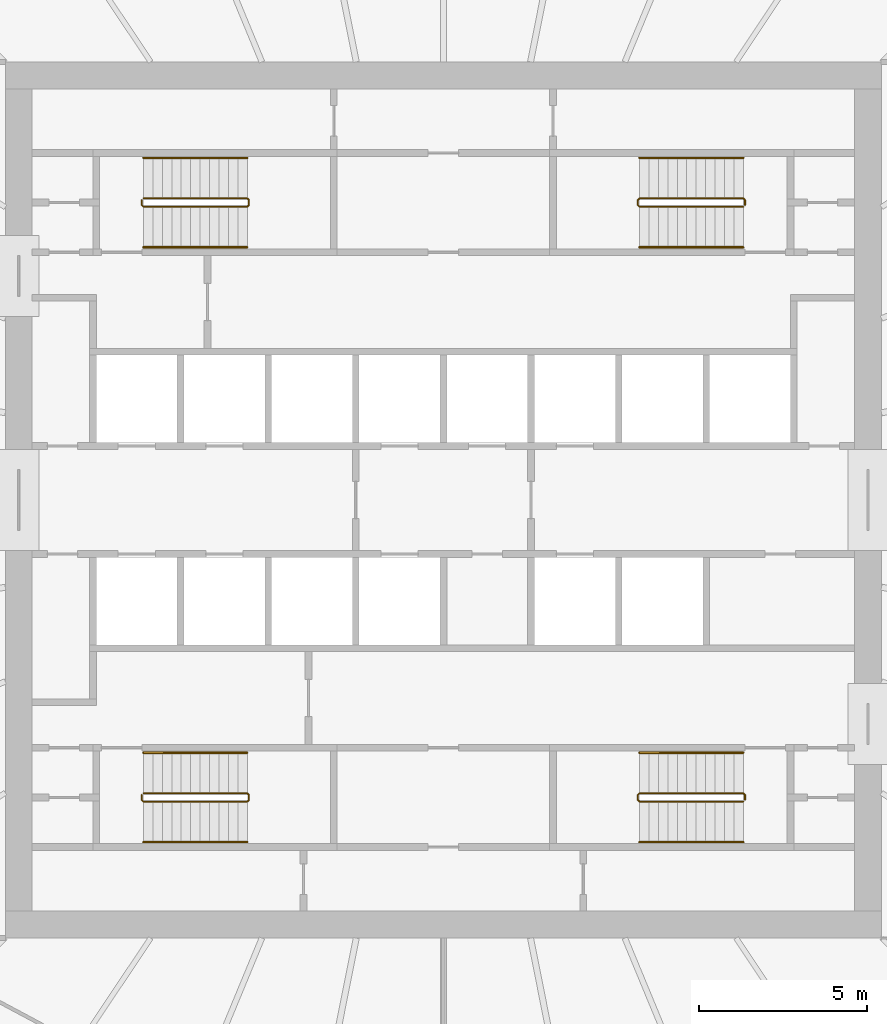
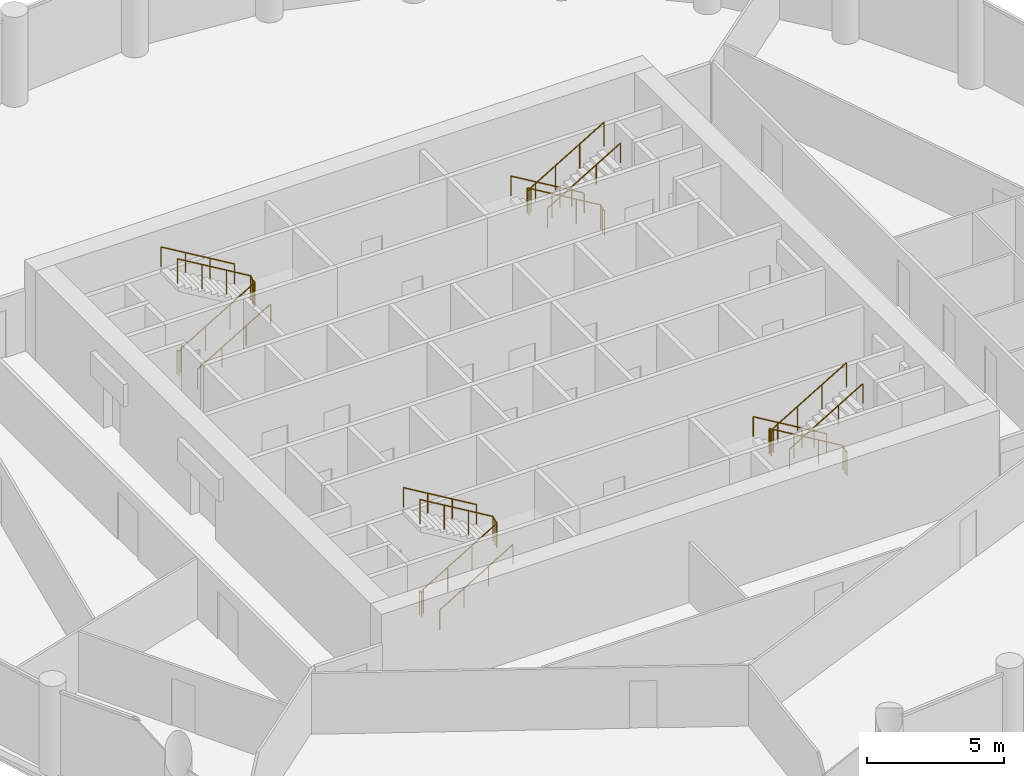
# One storey, part 8 of 8: 12 railings.
"""IFC4 building model written with IfcOpenShell, lengths in metres."""

from ifc_helpers import new_model, si_unit, direction, frame, origin, origin_2d, place, context, subcontext, project, spatial, circle, extrude, material, type_object, element, save


model = new_model("IFC4")

# Units and contexts
model_context = context("Model", 3, precision=1e-05, world=origin(), true_north=direction((0.0, 1.0)))
body_context = subcontext(model_context, "Body", "Model", "MODEL_VIEW")
ifc_project = project(units=[si_unit("LENGTHUNIT", "METRE"), si_unit("AREAUNIT", "SQUARE_METRE"), si_unit("VOLUMEUNIT", "CUBIC_METRE"), si_unit("PLANEANGLEUNIT", "RADIAN"), si_unit("MASSUNIT", "GRAM", prefix="KILO")], contexts=[model_context])

# Site, building, storey
site_placement = place(None, origin())
site = spatial("IfcSite", under=ifc_project, at=site_placement, CompositionType="ELEMENT")
building_placement = place(site_placement, origin())
building = spatial("IfcBuilding", under=site, at=building_placement, Name="Corvane Civic Tower", CompositionType="ELEMENT")
storey_placement = place(building_placement, frame((0.0, 0.0, 209.5)))
storey = spatial("IfcBuildingStorey", under=building, at=storey_placement, Name="L49", CompositionType="ELEMENT", Elevation=209.5)

# Railings
ifc_material_1 = material(Name="Steel ASTM A572 Gr 50", Category="steel")
railing_type_1 = type_object("IfcRailingType", Name="ST-GUARD-1100", PredefinedType="GUARDRAIL", material=ifc_material_1)
railing_1_placement = place(storey_placement, frame((8.949951171875, 8.75, 0.0)))
element("IfcRailing", 1, at=railing_1_placement, inside=storey, type_object=railing_type_1, Name="L49 ST1 stair guard 1", PredefinedType="GUARDRAIL", context=body_context, shape_type="SweptSolid", body=[
    extrude(circle(Radius=0.02392578125, at=origin_2d()), frame((0.0, 0.0, 1.076171875), z_axis=(0.0, 1.0, 0.0), x_axis=(-1.0, 0.0, 0.0)), (0.0, 0.0, 1.0), 0.14990234375),
    extrude(circle(Radius=0.02392578125, at=origin_2d()), frame((0.0, 0.14990234375, 1.076171875), z_axis=(-0.27628659633, 0.27628659633, 0.920506074601), x_axis=(-0.707106781187, -0.707106781187, 0.0)), (0.0, 0.0, 1.0), 0.18115234375),
    extrude(circle(Radius=0.02392578125, at=origin_2d()), frame((-0.050048828125, 0.199951171875, 1.24267578125), z_axis=(-0.859290745958, 0.0, 0.51148745235), x_axis=(0.0, -1.0, 0.0)), (0.0, 0.0, 1.0), 3.584228515625),
    extrude(circle(Radius=0.02392578125, at=origin_2d()), frame((-3.1298828125, 0.199951171875, 3.076171875), z_axis=(-0.707106781187, -0.707106781187, 0.0), x_axis=(0.707106781187, -0.707106781187, 0.0)), (0.0, 0.0, 1.0), 0.07080078125),
    extrude(circle(Radius=0.02392578125, at=origin_2d()), frame((-3.179931640625, 0.14990234375, 3.076171875), z_axis=(0.0, -1.0, 0.0), x_axis=(1.0, 0.0, 0.0)), (0.0, 0.0, 1.0), 0.14990234375),
    extrude(circle(Radius=0.02392578125, at=origin_2d()), frame((-3.179931640625, 0.0, 3.076171875), z_axis=(0.27628659633, -0.27628659633, 0.920506074601), x_axis=(0.707106781187, 0.707106781187, 0.0)), (0.0, 0.0, 1.0), 0.18115234375),
    extrude(circle(Radius=0.02392578125, at=origin_2d()), frame((-3.1298828125, -0.050048828125, 3.24267578125), z_axis=(0.859290745958, 0.0, 0.51148745235), x_axis=(0.0, 1.0, 0.0)), (0.0, 0.0, 1.0), 3.584228515625),
    extrude(circle(Radius=0.02099609375, at=origin_2d()), origin(), (0.0, 0.0, 1.0), 1.052001953125),
    extrude(circle(Radius=0.02099609375, at=origin_2d()), frame((0.0, 0.14990234375, 0.0)), (0.0, 0.0, 1.0), 1.052001953125),
    extrude(circle(Radius=0.02099609375, at=origin_2d()), frame((-0.050048828125, 0.199951171875, 0.166748046875)), (0.0, 0.0, 1.0), 1.052001953125),
    extrude(circle(Radius=0.02099609375, at=origin_2d()), frame((-1.07666015625, 0.199951171875, 0.77783203125)), (0.0, 0.0, 1.0), 1.052001953125),
    extrude(circle(Radius=0.02099609375, at=origin_2d()), frame((-2.103271484375, 0.199951171875, 1.388916015625)), (0.0, 0.0, 1.0), 1.052001953125),
    extrude(circle(Radius=0.02099609375, at=origin_2d()), frame((-3.1298828125, 0.199951171875, 2.0)), (0.0, 0.0, 1.0), 1.052001953125),
    extrude(circle(Radius=0.02099609375, at=origin_2d()), frame((-3.179931640625, 0.14990234375, 2.0)), (0.0, 0.0, 1.0), 1.052001953125),
    extrude(circle(Radius=0.02099609375, at=origin_2d()), frame((-3.179931640625, 0.0, 2.0)), (0.0, 0.0, 1.0), 1.052001953125),
    extrude(circle(Radius=0.02099609375, at=origin_2d()), frame((-3.1298828125, -0.050048828125, 2.166748046875)), (0.0, 0.0, 1.0), 1.052001953125),
    extrude(circle(Radius=0.02099609375, at=origin_2d()), frame((-2.103271484375, -0.050048828125, 2.77783203125)), (0.0, 0.0, 1.0), 1.052001953125),
    extrude(circle(Radius=0.02099609375, at=origin_2d()), frame((-1.07666015625, -0.050048828125, 3.388916015625)), (0.0, 0.0, 1.0), 1.052001953125),
    extrude(circle(Radius=0.02099609375, at=origin_2d()), frame((-0.050048828125, -0.050048828125, 4.0)), (0.0, 0.0, 1.0), 1.052001953125),
])
railing_2_placement = place(storey_placement, frame((8.949951171875, -8.89990234375, 0.0)))
element("IfcRailing", 2, at=railing_2_placement, inside=storey, type_object=railing_type_1, Name="L49 ST2 stair guard 1", PredefinedType="GUARDRAIL", context=body_context, shape_type="SweptSolid", body=[
    extrude(circle(Radius=0.02392578125, at=origin_2d()), frame((0.0, 0.0, 1.076171875), z_axis=(0.0, 1.0, 0.0), x_axis=(-1.0, 0.0, 0.0)), (0.0, 0.0, 1.0), 0.14990234375),
    extrude(circle(Radius=0.02392578125, at=origin_2d()), frame((0.0, 0.14990234375, 1.076171875), z_axis=(-0.27628659633, 0.27628659633, 0.920506074601), x_axis=(-0.707106781187, -0.707106781187, 0.0)), (0.0, 0.0, 1.0), 0.18115234375),
    extrude(circle(Radius=0.02392578125, at=origin_2d()), frame((-0.050048828125, 0.199951171875, 1.24267578125), z_axis=(-0.859290745958, 0.0, 0.51148745235), x_axis=(0.0, -1.0, 0.0)), (0.0, 0.0, 1.0), 3.584228515625),
    extrude(circle(Radius=0.02392578125, at=origin_2d()), frame((-3.1298828125, 0.199951171875, 3.076171875), z_axis=(-0.707106781187, -0.707106781187, 0.0), x_axis=(0.707106781187, -0.707106781187, 0.0)), (0.0, 0.0, 1.0), 0.07080078125),
    extrude(circle(Radius=0.02392578125, at=origin_2d()), frame((-3.179931640625, 0.14990234375, 3.076171875), z_axis=(0.0, -1.0, 0.0), x_axis=(1.0, 0.0, 0.0)), (0.0, 0.0, 1.0), 0.14990234375),
    extrude(circle(Radius=0.02392578125, at=origin_2d()), frame((-3.179931640625, 0.0, 3.076171875), z_axis=(0.27628659633, -0.27628659633, 0.920506074601), x_axis=(0.707106781187, 0.707106781187, 0.0)), (0.0, 0.0, 1.0), 0.18115234375),
    extrude(circle(Radius=0.02392578125, at=origin_2d()), frame((-3.1298828125, -0.050048828125, 3.24267578125), z_axis=(0.859290745958, 0.0, 0.51148745235), x_axis=(0.0, 1.0, 0.0)), (0.0, 0.0, 1.0), 3.584228515625),
    extrude(circle(Radius=0.02099609375, at=origin_2d()), origin(), (0.0, 0.0, 1.0), 1.052001953125),
    extrude(circle(Radius=0.02099609375, at=origin_2d()), frame((0.0, 0.14990234375, 0.0)), (0.0, 0.0, 1.0), 1.052001953125),
    extrude(circle(Radius=0.02099609375, at=origin_2d()), frame((-0.050048828125, 0.199951171875, 0.166748046875)), (0.0, 0.0, 1.0), 1.052001953125),
    extrude(circle(Radius=0.02099609375, at=origin_2d()), frame((-1.07666015625, 0.199951171875, 0.77783203125)), (0.0, 0.0, 1.0), 1.052001953125),
    extrude(circle(Radius=0.02099609375, at=origin_2d()), frame((-2.103271484375, 0.199951171875, 1.388916015625)), (0.0, 0.0, 1.0), 1.052001953125),
    extrude(circle(Radius=0.02099609375, at=origin_2d()), frame((-3.1298828125, 0.199951171875, 2.0)), (0.0, 0.0, 1.0), 1.052001953125),
    extrude(circle(Radius=0.02099609375, at=origin_2d()), frame((-3.179931640625, 0.14990234375, 2.0)), (0.0, 0.0, 1.0), 1.052001953125),
    extrude(circle(Radius=0.02099609375, at=origin_2d()), frame((-3.179931640625, 0.0, 2.0)), (0.0, 0.0, 1.0), 1.052001953125),
    extrude(circle(Radius=0.02099609375, at=origin_2d()), frame((-3.1298828125, -0.050048828125, 2.166748046875)), (0.0, 0.0, 1.0), 1.052001953125),
    extrude(circle(Radius=0.02099609375, at=origin_2d()), frame((-2.103271484375, -0.050048828125, 2.77783203125)), (0.0, 0.0, 1.0), 1.052001953125),
    extrude(circle(Radius=0.02099609375, at=origin_2d()), frame((-1.07666015625, -0.050048828125, 3.388916015625)), (0.0, 0.0, 1.0), 1.052001953125),
    extrude(circle(Radius=0.02099609375, at=origin_2d()), frame((-0.050048828125, -0.050048828125, 4.0)), (0.0, 0.0, 1.0), 1.052001953125),
])
railing_3_placement = place(storey_placement, frame((-8.949951171875, -8.75, 0.0)))
element("IfcRailing", 3, at=railing_3_placement, inside=storey, type_object=railing_type_1, Name="L49 ST3 stair guard 1", PredefinedType="GUARDRAIL", context=body_context, shape_type="SweptSolid", body=[
    extrude(circle(Radius=0.02392578125, at=origin_2d()), frame((0.0, 0.0, 1.076171875), z_axis=(0.0, -1.0, 0.0), x_axis=(1.0, 0.0, 0.0)), (0.0, 0.0, 1.0), 0.14990234375),
    extrude(circle(Radius=0.02392578125, at=origin_2d()), frame((0.0, -0.14990234375, 1.076171875), z_axis=(0.27628659633, -0.27628659633, 0.920506074601), x_axis=(0.707106781187, 0.707106781187, 0.0)), (0.0, 0.0, 1.0), 0.18115234375),
    extrude(circle(Radius=0.02392578125, at=origin_2d()), frame((0.050048828125, -0.199951171875, 1.24267578125), z_axis=(0.859290745958, 0.0, 0.51148745235), x_axis=(0.0, 1.0, 0.0)), (0.0, 0.0, 1.0), 3.584228515625),
    extrude(circle(Radius=0.02392578125, at=origin_2d()), frame((3.1298828125, -0.199951171875, 3.076171875), z_axis=(0.707106781187, 0.707106781187, 0.0), x_axis=(-0.707106781187, 0.707106781187, 0.0)), (0.0, 0.0, 1.0), 0.07080078125),
    extrude(circle(Radius=0.02392578125, at=origin_2d()), frame((3.179931640625, -0.14990234375, 3.076171875), z_axis=(0.0, 1.0, 0.0), x_axis=(-1.0, 0.0, 0.0)), (0.0, 0.0, 1.0), 0.14990234375),
    extrude(circle(Radius=0.02392578125, at=origin_2d()), frame((3.179931640625, 0.0, 3.076171875), z_axis=(-0.27628659633, 0.27628659633, 0.920506074601), x_axis=(-0.707106781187, -0.707106781187, 0.0)), (0.0, 0.0, 1.0), 0.18115234375),
    extrude(circle(Radius=0.02392578125, at=origin_2d()), frame((3.1298828125, 0.050048828125, 3.24267578125), z_axis=(-0.859290745958, 0.0, 0.51148745235), x_axis=(0.0, -1.0, 0.0)), (0.0, 0.0, 1.0), 3.584228515625),
    extrude(circle(Radius=0.02099609375, at=origin_2d()), origin(), (0.0, 0.0, 1.0), 1.052001953125),
    extrude(circle(Radius=0.02099609375, at=origin_2d()), frame((0.0, -0.14990234375, 0.0)), (0.0, 0.0, 1.0), 1.052001953125),
    extrude(circle(Radius=0.02099609375, at=origin_2d()), frame((0.050048828125, -0.199951171875, 0.166748046875)), (0.0, 0.0, 1.0), 1.052001953125),
    extrude(circle(Radius=0.02099609375, at=origin_2d()), frame((1.07666015625, -0.199951171875, 0.77783203125)), (0.0, 0.0, 1.0), 1.052001953125),
    extrude(circle(Radius=0.02099609375, at=origin_2d()), frame((2.103271484375, -0.199951171875, 1.388916015625)), (0.0, 0.0, 1.0), 1.052001953125),
    extrude(circle(Radius=0.02099609375, at=origin_2d()), frame((3.1298828125, -0.199951171875, 2.0)), (0.0, 0.0, 1.0), 1.052001953125),
    extrude(circle(Radius=0.02099609375, at=origin_2d()), frame((3.179931640625, -0.14990234375, 2.0)), (0.0, 0.0, 1.0), 1.052001953125),
    extrude(circle(Radius=0.02099609375, at=origin_2d()), frame((3.179931640625, 0.0, 2.0)), (0.0, 0.0, 1.0), 1.052001953125),
    extrude(circle(Radius=0.02099609375, at=origin_2d()), frame((3.1298828125, 0.050048828125, 2.166748046875)), (0.0, 0.0, 1.0), 1.052001953125),
    extrude(circle(Radius=0.02099609375, at=origin_2d()), frame((2.103271484375, 0.050048828125, 2.77783203125)), (0.0, 0.0, 1.0), 1.052001953125),
    extrude(circle(Radius=0.02099609375, at=origin_2d()), frame((1.07666015625, 0.050048828125, 3.388916015625)), (0.0, 0.0, 1.0), 1.052001953125),
    extrude(circle(Radius=0.02099609375, at=origin_2d()), frame((0.050048828125, 0.050048828125, 4.0)), (0.0, 0.0, 1.0), 1.052001953125),
])
railing_4_placement = place(storey_placement, frame((-8.949951171875, 8.89990234375, 0.0)))
element("IfcRailing", 4, at=railing_4_placement, inside=storey, type_object=railing_type_1, Name="L49 ST4 stair guard 1", PredefinedType="GUARDRAIL", context=body_context, shape_type="SweptSolid", body=[
    extrude(circle(Radius=0.02392578125, at=origin_2d()), frame((0.0, 0.0, 1.076171875), z_axis=(0.0, -1.0, 0.0), x_axis=(1.0, 0.0, 0.0)), (0.0, 0.0, 1.0), 0.14990234375),
    extrude(circle(Radius=0.02392578125, at=origin_2d()), frame((0.0, -0.14990234375, 1.076171875), z_axis=(0.27628659633, -0.27628659633, 0.920506074601), x_axis=(0.707106781187, 0.707106781187, 0.0)), (0.0, 0.0, 1.0), 0.18115234375),
    extrude(circle(Radius=0.02392578125, at=origin_2d()), frame((0.050048828125, -0.199951171875, 1.24267578125), z_axis=(0.859290745958, 0.0, 0.51148745235), x_axis=(0.0, 1.0, 0.0)), (0.0, 0.0, 1.0), 3.584228515625),
    extrude(circle(Radius=0.02392578125, at=origin_2d()), frame((3.1298828125, -0.199951171875, 3.076171875), z_axis=(0.707106781187, 0.707106781187, 0.0), x_axis=(-0.707106781187, 0.707106781187, 0.0)), (0.0, 0.0, 1.0), 0.07080078125),
    extrude(circle(Radius=0.02392578125, at=origin_2d()), frame((3.179931640625, -0.14990234375, 3.076171875), z_axis=(0.0, 1.0, 0.0), x_axis=(-1.0, 0.0, 0.0)), (0.0, 0.0, 1.0), 0.14990234375),
    extrude(circle(Radius=0.02392578125, at=origin_2d()), frame((3.179931640625, 0.0, 3.076171875), z_axis=(-0.27628659633, 0.27628659633, 0.920506074601), x_axis=(-0.707106781187, -0.707106781187, 0.0)), (0.0, 0.0, 1.0), 0.18115234375),
    extrude(circle(Radius=0.02392578125, at=origin_2d()), frame((3.1298828125, 0.050048828125, 3.24267578125), z_axis=(-0.859290745958, 0.0, 0.51148745235), x_axis=(0.0, -1.0, 0.0)), (0.0, 0.0, 1.0), 3.584228515625),
    extrude(circle(Radius=0.02099609375, at=origin_2d()), origin(), (0.0, 0.0, 1.0), 1.052001953125),
    extrude(circle(Radius=0.02099609375, at=origin_2d()), frame((0.0, -0.14990234375, 0.0)), (0.0, 0.0, 1.0), 1.052001953125),
    extrude(circle(Radius=0.02099609375, at=origin_2d()), frame((0.050048828125, -0.199951171875, 0.166748046875)), (0.0, 0.0, 1.0), 1.052001953125),
    extrude(circle(Radius=0.02099609375, at=origin_2d()), frame((1.07666015625, -0.199951171875, 0.77783203125)), (0.0, 0.0, 1.0), 1.052001953125),
    extrude(circle(Radius=0.02099609375, at=origin_2d()), frame((2.103271484375, -0.199951171875, 1.388916015625)), (0.0, 0.0, 1.0), 1.052001953125),
    extrude(circle(Radius=0.02099609375, at=origin_2d()), frame((3.1298828125, -0.199951171875, 2.0)), (0.0, 0.0, 1.0), 1.052001953125),
    extrude(circle(Radius=0.02099609375, at=origin_2d()), frame((3.179931640625, -0.14990234375, 2.0)), (0.0, 0.0, 1.0), 1.052001953125),
    extrude(circle(Radius=0.02099609375, at=origin_2d()), frame((3.179931640625, 0.0, 2.0)), (0.0, 0.0, 1.0), 1.052001953125),
    extrude(circle(Radius=0.02099609375, at=origin_2d()), frame((3.1298828125, 0.050048828125, 2.166748046875)), (0.0, 0.0, 1.0), 1.052001953125),
    extrude(circle(Radius=0.02099609375, at=origin_2d()), frame((2.103271484375, 0.050048828125, 2.77783203125)), (0.0, 0.0, 1.0), 1.052001953125),
    extrude(circle(Radius=0.02099609375, at=origin_2d()), frame((1.07666015625, 0.050048828125, 3.388916015625)), (0.0, 0.0, 1.0), 1.052001953125),
    extrude(circle(Radius=0.02099609375, at=origin_2d()), frame((0.050048828125, 0.050048828125, 4.0)), (0.0, 0.0, 1.0), 1.052001953125),
])
ifc_material_2 = material(Name="Steel ASTM A572 Gr 50", Category="steel")
railing_type_2 = type_object("IfcRailingType", Name="ST-HANDRAIL-900", PredefinedType="HANDRAIL", material=ifc_material_2)
railing_5_placement = place(storey_placement, frame((8.89990234375, 10.14990234375, 0.166748046875)))
element("IfcRailing", 5, at=railing_5_placement, inside=storey, type_object=railing_type_2, Name="L49 ST1 stair handrail 1", PredefinedType="HANDRAIL", context=body_context, shape_type="SweptSolid", body=[
    extrude(circle(Radius=0.02392578125, at=origin_2d()), frame((0.0, 0.0, 0.8759765625), z_axis=(-0.859290745958, 0.0, 0.51148745235), x_axis=(0.0, -1.0, 0.0)), (0.0, 0.0, 1.0), 3.584228515625),
    extrude(circle(Radius=0.02099609375, at=origin_2d()), origin(), (0.0, 0.0, 1.0), 0.851806640625),
    extrude(circle(Radius=0.02099609375, at=origin_2d()), frame((-1.026611328125, 0.0, 0.611083984375)), (0.0, 0.0, 1.0), 0.851806640625),
    extrude(circle(Radius=0.02099609375, at=origin_2d()), frame((-2.05322265625, 0.0, 1.22216796875)), (0.0, 0.0, 1.0), 0.851806640625),
    extrude(circle(Radius=0.02099609375, at=origin_2d()), frame((-3.079833984375, 0.0, 1.833251953125)), (0.0, 0.0, 1.0), 0.851806640625),
])
railing_6_placement = place(storey_placement, frame((5.820068359375, 7.5, 2.166748046875)))
element("IfcRailing", 6, at=railing_6_placement, inside=storey, type_object=railing_type_2, Name="L49 ST1 stair handrail 2", PredefinedType="HANDRAIL", context=body_context, shape_type="SweptSolid", body=[
    extrude(circle(Radius=0.02392578125, at=origin_2d()), frame((0.0, 0.0, 0.8759765625), z_axis=(0.859290745958, 0.0, 0.51148745235), x_axis=(0.0, 1.0, 0.0)), (0.0, 0.0, 1.0), 3.584228515625),
    extrude(circle(Radius=0.02099609375, at=origin_2d()), origin(), (0.0, 0.0, 1.0), 0.851806640625),
    extrude(circle(Radius=0.02099609375, at=origin_2d()), frame((1.026611328125, 0.0, 0.611083984375)), (0.0, 0.0, 1.0), 0.851806640625),
    extrude(circle(Radius=0.02099609375, at=origin_2d()), frame((2.05322265625, 0.0, 1.22216796875)), (0.0, 0.0, 1.0), 0.851806640625),
    extrude(circle(Radius=0.02099609375, at=origin_2d()), frame((3.079833984375, 0.0, 1.833251953125)), (0.0, 0.0, 1.0), 0.851806640625),
])
railing_7_placement = place(storey_placement, frame((8.89990234375, -7.5, 0.166748046875)))
element("IfcRailing", 7, at=railing_7_placement, inside=storey, type_object=railing_type_2, Name="L49 ST2 stair handrail 1", PredefinedType="HANDRAIL", context=body_context, shape_type="SweptSolid", body=[
    extrude(circle(Radius=0.02392578125, at=origin_2d()), frame((0.0, 0.0, 0.8759765625), z_axis=(-0.859290745958, 0.0, 0.51148745235), x_axis=(0.0, -1.0, 0.0)), (0.0, 0.0, 1.0), 3.584228515625),
    extrude(circle(Radius=0.02099609375, at=origin_2d()), origin(), (0.0, 0.0, 1.0), 0.851806640625),
    extrude(circle(Radius=0.02099609375, at=origin_2d()), frame((-1.026611328125, 0.0, 0.611083984375)), (0.0, 0.0, 1.0), 0.851806640625),
    extrude(circle(Radius=0.02099609375, at=origin_2d()), frame((-2.05322265625, 0.0, 1.22216796875)), (0.0, 0.0, 1.0), 0.851806640625),
    extrude(circle(Radius=0.02099609375, at=origin_2d()), frame((-3.079833984375, 0.0, 1.833251953125)), (0.0, 0.0, 1.0), 0.851806640625),
])
for number, where, name in (
    (8, (5.820068359375, -10.14990234375, 2.166748046875), "L49 ST2 stair handrail 2"),
    (9, (-8.89990234375, -10.14990234375, 0.166748046875), "L49 ST3 stair handrail 1"),
):
    element("IfcRailing", number, at=place(storey_placement, frame(where)), inside=storey, type_object=railing_type_2, Name=name, PredefinedType="HANDRAIL", context=body_context, shape_type="SweptSolid", body=[
        extrude(circle(Radius=0.02392578125, at=origin_2d()), frame((0.0, 0.0, 0.8759765625), z_axis=(0.859290745958, 0.0, 0.51148745235), x_axis=(0.0, 1.0, 0.0)), (0.0, 0.0, 1.0), 3.584228515625),
        extrude(circle(Radius=0.02099609375, at=origin_2d()), origin(), (0.0, 0.0, 1.0), 0.851806640625),
        extrude(circle(Radius=0.02099609375, at=origin_2d()), frame((1.026611328125, 0.0, 0.611083984375)), (0.0, 0.0, 1.0), 0.851806640625),
        extrude(circle(Radius=0.02099609375, at=origin_2d()), frame((2.05322265625, 0.0, 1.22216796875)), (0.0, 0.0, 1.0), 0.851806640625),
        extrude(circle(Radius=0.02099609375, at=origin_2d()), frame((3.079833984375, 0.0, 1.833251953125)), (0.0, 0.0, 1.0), 0.851806640625),
    ])
railing_8_placement = place(storey_placement, frame((-5.820068359375, -7.5, 2.166748046875)))
element("IfcRailing", 10, at=railing_8_placement, inside=storey, type_object=railing_type_2, Name="L49 ST3 stair handrail 2", PredefinedType="HANDRAIL", context=body_context, shape_type="SweptSolid", body=[
    extrude(circle(Radius=0.02392578125, at=origin_2d()), frame((0.0, 0.0, 0.8759765625), z_axis=(-0.859290745958, 0.0, 0.51148745235), x_axis=(0.0, -1.0, 0.0)), (0.0, 0.0, 1.0), 3.584228515625),
    extrude(circle(Radius=0.02099609375, at=origin_2d()), origin(), (0.0, 0.0, 1.0), 0.851806640625),
    extrude(circle(Radius=0.02099609375, at=origin_2d()), frame((-1.026611328125, 0.0, 0.611083984375)), (0.0, 0.0, 1.0), 0.851806640625),
    extrude(circle(Radius=0.02099609375, at=origin_2d()), frame((-2.05322265625, 0.0, 1.22216796875)), (0.0, 0.0, 1.0), 0.851806640625),
    extrude(circle(Radius=0.02099609375, at=origin_2d()), frame((-3.079833984375, 0.0, 1.833251953125)), (0.0, 0.0, 1.0), 0.851806640625),
])
railing_9_placement = place(storey_placement, frame((-8.89990234375, 7.5, 0.166748046875)))
element("IfcRailing", 11, at=railing_9_placement, inside=storey, type_object=railing_type_2, Name="L49 ST4 stair handrail 1", PredefinedType="HANDRAIL", context=body_context, shape_type="SweptSolid", body=[
    extrude(circle(Radius=0.02392578125, at=origin_2d()), frame((0.0, 0.0, 0.8759765625), z_axis=(0.859290745958, 0.0, 0.51148745235), x_axis=(0.0, 1.0, 0.0)), (0.0, 0.0, 1.0), 3.584228515625),
    extrude(circle(Radius=0.02099609375, at=origin_2d()), origin(), (0.0, 0.0, 1.0), 0.851806640625),
    extrude(circle(Radius=0.02099609375, at=origin_2d()), frame((1.026611328125, 0.0, 0.611083984375)), (0.0, 0.0, 1.0), 0.851806640625),
    extrude(circle(Radius=0.02099609375, at=origin_2d()), frame((2.05322265625, 0.0, 1.22216796875)), (0.0, 0.0, 1.0), 0.851806640625),
    extrude(circle(Radius=0.02099609375, at=origin_2d()), frame((3.079833984375, 0.0, 1.833251953125)), (0.0, 0.0, 1.0), 0.851806640625),
])
railing_10_placement = place(storey_placement, frame((-5.820068359375, 10.14990234375, 2.166748046875)))
element("IfcRailing", 12, at=railing_10_placement, inside=storey, type_object=railing_type_2, Name="L49 ST4 stair handrail 2", PredefinedType="HANDRAIL", context=body_context, shape_type="SweptSolid", body=[
    extrude(circle(Radius=0.02392578125, at=origin_2d()), frame((0.0, 0.0, 0.8759765625), z_axis=(-0.859290745958, 0.0, 0.51148745235), x_axis=(0.0, -1.0, 0.0)), (0.0, 0.0, 1.0), 3.584228515625),
    extrude(circle(Radius=0.02099609375, at=origin_2d()), origin(), (0.0, 0.0, 1.0), 0.851806640625),
    extrude(circle(Radius=0.02099609375, at=origin_2d()), frame((-1.026611328125, 0.0, 0.611083984375)), (0.0, 0.0, 1.0), 0.851806640625),
    extrude(circle(Radius=0.02099609375, at=origin_2d()), frame((-2.05322265625, 0.0, 1.22216796875)), (0.0, 0.0, 1.0), 0.851806640625),
    extrude(circle(Radius=0.02099609375, at=origin_2d()), frame((-3.079833984375, 0.0, 1.833251953125)), (0.0, 0.0, 1.0), 0.851806640625),
])

save(model, "model.ifc")
